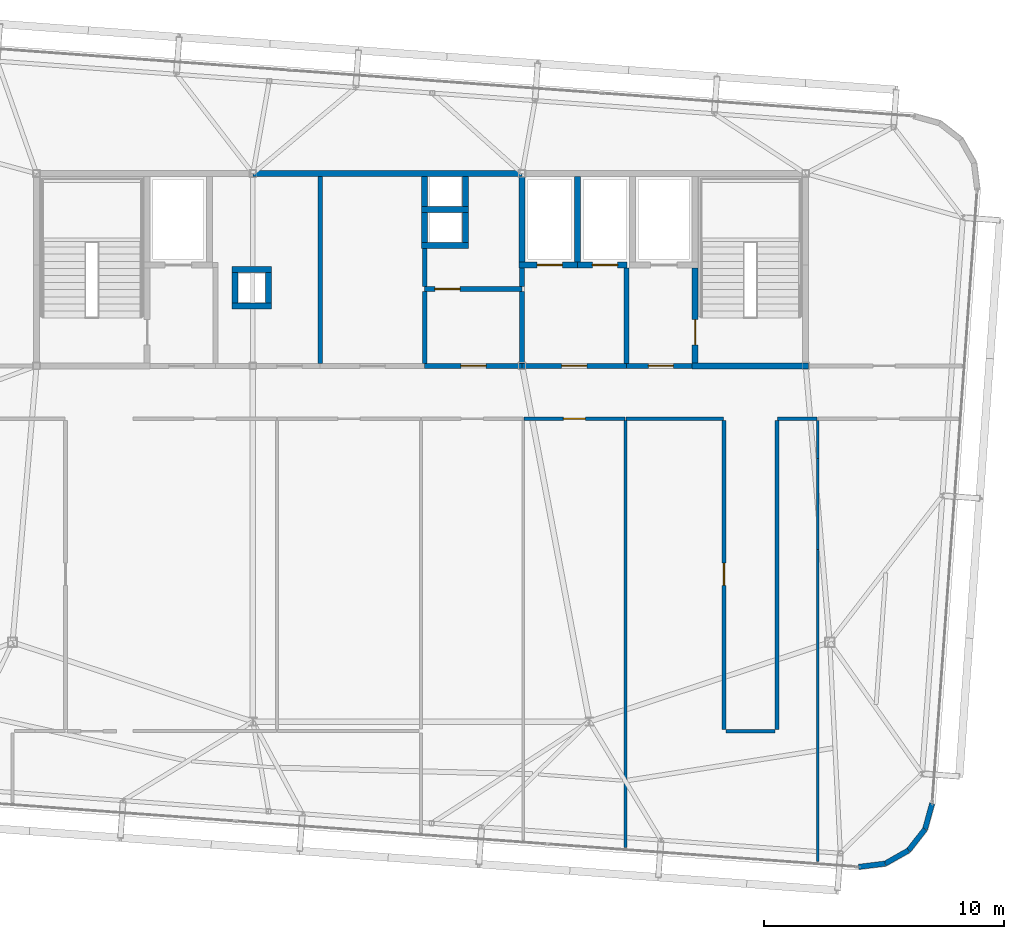
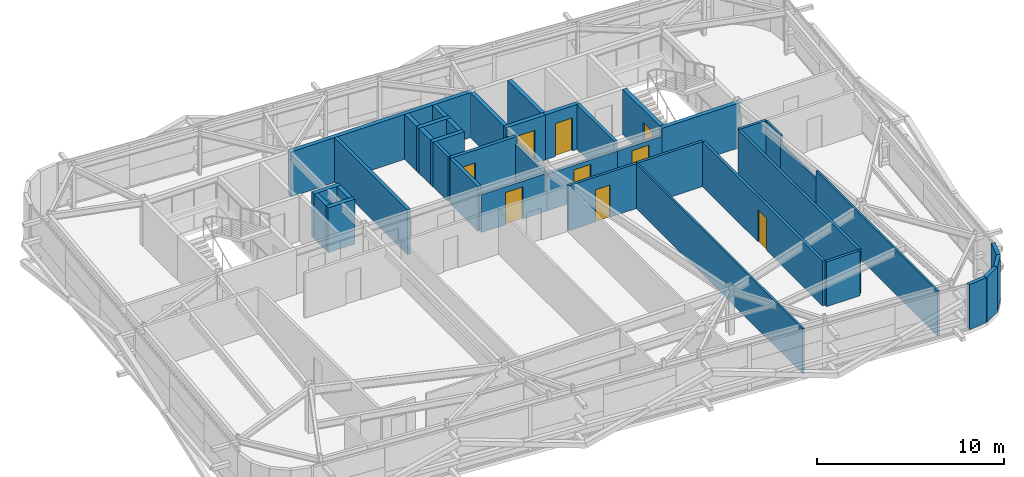
# One storey, part 32 of 34: 41 walls, 9 doors, 9 openings.
"""IFC4 building model written with IfcOpenShell, lengths in metres."""

from ifc_helpers import new_model, si_unit, direction, frame, frame_2d, origin, place, context, subcontext, project, spatial, rectangle, extrude, source, transform, mapped, material, layer, layer_set, type_object, element, fill, save


model = new_model("IFC4")

# Units and contexts
model_context = context("Model", 3, precision=1e-05, world=origin(), true_north=direction((0.0, 1.0)))
body_context = subcontext(model_context, "Body", "Model", "MODEL_VIEW")
ifc_project = project(units=[si_unit("LENGTHUNIT", "METRE"), si_unit("AREAUNIT", "SQUARE_METRE"), si_unit("VOLUMEUNIT", "CUBIC_METRE"), si_unit("PLANEANGLEUNIT", "RADIAN"), si_unit("MASSUNIT", "GRAM", prefix="KILO")], contexts=[model_context])

# Site, building, storey
site_placement = place(None, origin())
site = spatial("IfcSite", under=ifc_project, at=site_placement, CompositionType="ELEMENT")
building_placement = place(site_placement, origin())
building = spatial("IfcBuilding", under=site, at=building_placement, Name="Taldren Reach Tower", CompositionType="ELEMENT")
storey_placement = place(building_placement, frame((0.0, 0.0, 242.89990234375)))
storey = spatial("IfcBuildingStorey", under=building, at=storey_placement, Name="L74", CompositionType="ELEMENT", Elevation=242.89990234375)

# Walls
ifc_material_1 = material(Name="Pale Champagne Anodised Aluminium Cladding", Category="aluminium")
ifc_layer_1 = layer(ifc_material_1, 0.04, Name="Pale Champagne Anodised Aluminium Cladding", Category="aluminium")
ifc_material_2 = material(Name="Mineral Wool Acoustic Insulation", Category="insulation")
ifc_layer_2 = layer(ifc_material_2, 0.06, Name="Mineral Wool Acoustic Insulation", Category="insulation")
ifc_material_3 = material(Name="Steel Gr 350 (C350L0)", Category="steel")
ifc_layer_3 = layer(ifc_material_3, 0.12, Name="Steel Gr 350 (C350L0)", Category="steel")
ifc_layer_set_1 = layer_set([ifc_layer_1, ifc_layer_2, ifc_layer_3], Name="Pale Champagne Aluminium Cladding and Steel Gr 350 Stud Framing")
wall_type_1 = type_object("IfcWallType", Name="EW-CRN-220", PredefinedType="SOLIDWALL", material=ifc_layer_set_1)
shared_shape_1 = source(origin(), body_context, "Body", "SweptSolid", [
    extrude(rectangle(XDim=1.115966796875, YDim=0.219970703125, at=frame_2d((0.55810546875, 0.0))), origin(), (0.0, 0.0, 1.0), 2.93017578125),
])
for number, where, z_axis, x_axis, name in (
    (1, (53.20068359375, 3.15380859375, 0.0), (0.0, 0.0, 1.0), (0.992438604032, 0.122742076028, 0.0), "Rounded-corner pale-metal facade wall L74-SE1"),
    (2, (55.279052734375, 3.84130859375, 0.0), (0.0, 0.0, 1.0), (0.615015475096, 0.788515038152, 0.0), "Rounded-corner pale-metal facade wall L74-SE3"),
    (3, (55.96533203125, 4.72119140625, 0.0), (0.0, 0.0, 1.0), (0.26624444942, 0.963905541613, 0.0), "Rounded-corner pale-metal facade wall L74-SE4"),
):
    element("IfcWall", number, at=place(storey_placement, frame(where, z_axis=z_axis, x_axis=x_axis)), inside=storey, type_object=wall_type_1, Name=name, PredefinedType="SOLIDWALL", context=body_context, shape_type="MappedRepresentation", body=[
        mapped(shared_shape_1, transform((0.0, 0.0, 0.0), scale=1.0)),
    ])
shared_shape_2 = source(origin(), body_context, "Body", "SweptSolid", [
    extrude(rectangle(XDim=1.1162109375, YDim=0.219970703125, at=frame_2d((0.55810546875, 0.0))), origin(), (0.0, 0.0, 1.0), 2.93017578125),
])
wall_1_placement = place(storey_placement, frame((54.30810546875, 3.290771484375, 0.0), z_axis=(0.0, 0.0, 1.0), x_axis=(0.869893934693, 0.49323882895, 0.0)))
element("IfcWall", 4, at=wall_1_placement, inside=storey, type_object=wall_type_1, Name="Rounded-corner pale-metal facade wall L74-SE2", PredefinedType="SOLIDWALL", context=body_context, shape_type="MappedRepresentation", body=[
    mapped(shared_shape_2, transform((0.0, 0.0, 0.0), scale=1.0)),
])
ifc_material_4 = material(Name="Concrete S50 (50 MPa)", Category="concrete")
ifc_layer_4 = layer(ifc_material_4, 0.199951171875)
ifc_layer_set_2 = layer_set([ifc_layer_4], Name="Concrete S50 (50 MPa)")
wall_type_2 = type_object("IfcWallType", Name="IW-CORE-200", PredefinedType="SOLIDWALL", material=ifc_layer_set_2)
shared_shape_3 = source(origin(), body_context, "Body", "SweptSolid", [
    extrude(rectangle(XDim=3.0, YDim=0.199951171875, at=frame_2d((1.5, 0.0))), origin(), (0.0, 0.0, 1.0), 2.47021484375),
])
wall_2_placement = place(storey_placement, frame((39.199951171875, 24.10009765625, 0.0), z_axis=(0.0, 0.0, 1.0), x_axis=(0.0, 1.0, 0.0)))
element("IfcWall", 5, at=wall_2_placement, inside=storey, type_object=wall_type_2, Name="Rear Core Shear Wall W-INT-L74-029", PredefinedType="SOLIDWALL", context=body_context, shape_type="MappedRepresentation", body=[
    mapped(shared_shape_3, transform((0.0, 0.0, 0.0), scale=1.0)),
])
ifc_material_5 = material(Name="Fire-Rated Acoustic Plasterboard Stud Wall", Category="gypsum")
ifc_layer_5 = layer(ifc_material_5, 0.159912109375)
ifc_layer_set_3 = layer_set([ifc_layer_5], Name="Fire-Rated Acoustic Plasterboard Stud Wall")
wall_type_3 = type_object("IfcWallType", Name="IW-FIRE-160", PredefinedType="PARTITIONING", material=ifc_layer_set_3)
shared_shape_4 = source(origin(), body_context, "Body", "SweptSolid", [
    extrude(rectangle(XDim=2.0400390625, YDim=0.159912109375, at=frame_2d((1.02001953125, 0.0))), origin(), (0.0, 0.0, 1.0), 2.93017578125),
])
wall_3_placement = place(storey_placement, frame((49.719970703125, 8.800048828125, 0.0), z_axis=(0.0, 0.0, 1.0), x_axis=(-1.0, 0.0, 0.0)))
element("IfcWall", 6, at=wall_3_placement, inside=storey, type_object=wall_type_3, Name="Interior Partition Wall W-INT-L74-051", PredefinedType="PARTITIONING", context=body_context, shape_type="MappedRepresentation", body=[
    mapped(shared_shape_4, transform((0.0, 0.0, 0.0), scale=1.0)),
])

# Wall, opening, door
shared_shape_5 = source(origin(), body_context, "Body", "SweptSolid", [
    extrude(rectangle(XDim=4.35009765625, YDim=0.199951171875, at=frame_2d((2.175048828125, 0.0))), origin(), (0.0, 0.0, 1.0), 2.397216796875),
])
wall_4_placement = place(storey_placement, frame((43.550048828125, 24.0, 0.0), z_axis=(0.0, 0.0, 1.0), x_axis=(-1.0, 0.0, 0.0)))
wall_4 = element("IfcWall", 7, at=wall_4_placement, inside=storey, type_object=wall_type_2, Name="Rear Core Shear Wall W-INT-L74-031", PredefinedType="SOLIDWALL", context=body_context, shape_type="MappedRepresentation", body=[
    mapped(shared_shape_5, transform((0.0, 0.0, 0.0), scale=1.0)),
])
shared_shape_6 = source(origin(), body_context, "Body", "SweptSolid", [
    extrude(rectangle(XDim=1.050048828125, YDim=2.10009765625, at=frame_2d((0.52490234375, 1.050048828125))), frame((0.0, 0.10986328125, 0.0), z_axis=(0.0, -1.0, 0.0), x_axis=(1.0, 0.0, 0.0)), (0.0, 0.0, 1.0), 0.219970703125),
])
opening_1_placement = place(wall_4_placement, frame((1.64990234375, 0.0, 0.0)))
opening_1 = element("IfcOpeningElement", 8, at=opening_1_placement, cuts=wall_4, Name="Opening DF-105", PredefinedType="OPENING", context=body_context, shape_type="MappedRepresentation", body=[
    mapped(shared_shape_6, transform((0.0, 0.0, 0.0), scale=1.0)),
])
ifc_material_6 = material(Name="Fire-Rated Care and Stair Exit Door")
door_type_1 = type_object("IfcDoorType", Name="ID-FIRE-105", OperationType="NOTDEFINED", PredefinedType="DOOR", material=ifc_material_6)
shared_shape_7 = source(origin(), body_context, "Body", "SweptSolid", [
    extrude(rectangle(XDim=1.050048828125, YDim=2.10009765625, at=frame_2d((0.52490234375, 1.050048828125))), frame((0.0, 0.02490234375, 0.0), z_axis=(0.0, -1.0, 0.0), x_axis=(1.0, 0.0, 0.0)), (0.0, 0.0, 1.0), 0.050048828125),
])
door_1_placement = place(opening_1_placement, frame((1.050048828125, 0.0, 0.0), z_axis=(0.0, 0.0, 1.0), x_axis=(-1.0, 0.0, 0.0)))
door_1 = element("IfcDoor", 9, at=door_1_placement, inside=storey, type_object=door_type_1, Name="Interior Door DR-L74-005", OperationType="SINGLE_SWING_LEFT", OverallHeight=2.10009765625, OverallWidth=1.050048828125, PredefinedType="DOOR", context=body_context, shape_type="MappedRepresentation", body=[
    mapped(shared_shape_7, transform((0.0, 0.0, 0.0), scale=1.0)),
])
fill(opening_1, door_1)

# Walls
ifc_material_7 = material(Name="Concrete S65 (65 MPa)", Category="concrete")
ifc_layer_6 = layer(ifc_material_7, 0.25)
ifc_layer_set_4 = layer_set([ifc_layer_6], Name="Concrete S65 (65 MPa)")
wall_type_4 = type_object("IfcWallType", Name="IW-CORE-250", PredefinedType="SHEAR", material=ifc_layer_set_4)
shared_shape_8 = source(origin(), body_context, "Body", "SweptSolid", [
    extrude(rectangle(XDim=11.199951171875, YDim=0.25, at=frame_2d((5.60009765625, 0.0))), origin(), (0.0, 0.0, 1.0), 2.93017578125),
])
wall_5_placement = place(storey_placement, frame((28.0, 32.0, 0.0), z_axis=(0.0, 0.0, 1.0), x_axis=(1.0, 0.0, 0.0)))
element("IfcWall", 10, at=wall_5_placement, inside=storey, type_object=wall_type_4, Name="Rear Core Shear Wall W-CORE-L74-NORTH2", PredefinedType="SHEAR", context=body_context, shape_type="MappedRepresentation", body=[
    mapped(shared_shape_8, transform((0.0, 0.0, 0.0), scale=1.0)),
])
shared_shape_9 = source(origin(), body_context, "Body", "SweptSolid", [
    extrude(rectangle(XDim=3.550048828125, YDim=0.25, at=frame_2d((1.77490234375, 0.0))), origin(), (0.0, 0.0, 1.0), 2.93017578125),
])
for number, where, z_axis, x_axis, name in (
    (11, (41.5, 28.324951171875, 0.0), (0.0, 0.0, 1.0), (0.0, 1.0, 0.0), "Rear Core Shear Wall W-INT-L74-025"),
    (12, (39.199951171875, 31.875, 0.0), (0.0, 0.0, 1.0), (0.0, -1.0, 0.0), "Rear Core Shear Wall W-INT-L74-027"),
):
    element("IfcWall", number, at=place(storey_placement, frame(where, z_axis=z_axis, x_axis=x_axis)), inside=storey, type_object=wall_type_4, Name=name, PredefinedType="SHEAR", context=body_context, shape_type="MappedRepresentation", body=[
        mapped(shared_shape_9, transform((0.0, 0.0, 0.0), scale=1.0)),
    ])

# Wall, opening, door
shared_shape_10 = source(origin(), body_context, "Body", "SweptSolid", [
    extrude(rectangle(XDim=3.949951171875, YDim=0.25, at=frame_2d((1.97509765625, 0.0))), origin(), (0.0, 0.0, 1.0), 2.93017578125),
])
wall_6_placement = place(storey_placement, frame((46.39990234375, 28.074951171875, 0.0), z_axis=(0.0, 0.0, 1.0), x_axis=(0.0, -1.0, 0.0)))
wall_6 = element("IfcWall", 13, at=wall_6_placement, inside=storey, type_object=wall_type_4, Name="Rear Core Shear Wall W-INT-L74-009", PredefinedType="SHEAR", context=body_context, shape_type="MappedRepresentation", body=[
    mapped(shared_shape_10, transform((0.0, 0.0, 0.0), scale=1.0)),
])
shared_shape_11 = source(origin(), body_context, "Body", "SweptSolid", [
    extrude(rectangle(XDim=1.050048828125, YDim=2.10009765625, at=frame_2d((0.52490234375, 1.050048828125))), frame((0.0, 0.135009765625, 0.0), z_axis=(0.0, -1.0, 0.0), x_axis=(1.0, 0.0, 0.0)), (0.0, 0.0, 1.0), 0.27001953125),
])
opening_2_placement = place(wall_6_placement, frame((2.14990234375, 0.0, 0.0)))
opening_2 = element("IfcOpeningElement", 14, at=opening_2_placement, cuts=wall_6, Name="Opening DF-105", PredefinedType="OPENING", context=body_context, shape_type="MappedRepresentation", body=[
    mapped(shared_shape_11, transform((0.0, 0.0, 0.0), scale=1.0)),
])
door_2_placement = place(opening_2_placement, origin())
door_2 = element("IfcDoor", 15, at=door_2_placement, inside=storey, type_object=door_type_1, Name="Fire Exit Stair Door DR-L74-003", OperationType="SINGLE_SWING_RIGHT", OverallHeight=2.10009765625, OverallWidth=1.050048828125, PredefinedType="DOOR", context=body_context, shape_type="MappedRepresentation", body=[
    mapped(shared_shape_7, transform((0.0, 0.0, 0.0), scale=1.0)),
])
fill(opening_2, door_2)

# Walls
shared_shape_12 = source(origin(), body_context, "Body", "SweptSolid", [
    extrude(rectangle(XDim=4.85009765625, YDim=0.25, at=frame_2d((2.425048828125, 0.0))), origin(), (0.0, 0.0, 1.0), 2.93017578125),
])
wall_7_placement = place(storey_placement, frame((46.27490234375, 24.0, 0.0), z_axis=(0.0, 0.0, 1.0), x_axis=(1.0, 0.0, 0.0)))
element("IfcWall", 16, at=wall_7_placement, inside=storey, type_object=wall_type_4, Name="Rear Core Shear Wall W-INT-L74-010", PredefinedType="SHEAR", context=body_context, shape_type="MappedRepresentation", body=[
    mapped(shared_shape_12, transform((0.0, 0.0, 0.0), scale=1.0)),
])
shared_shape_13 = source(origin(), body_context, "Body", "SweptSolid", [
    extrude(rectangle(XDim=3.974853515625, YDim=0.199951171875, at=frame_2d((1.9873046875, 0.0))), origin(), (0.0, 0.0, 1.0), 2.93017578125),
])
wall_8_placement = place(storey_placement, frame((43.550048828125, 28.074951171875, 0.0), z_axis=(0.0, 0.0, 1.0), x_axis=(0.0, -1.0, 0.0)))
element("IfcWall", 17, at=wall_8_placement, inside=storey, type_object=wall_type_2, Name="Rear Core Shear Wall W-INT-L74-013", PredefinedType="SOLIDWALL", context=body_context, shape_type="MappedRepresentation", body=[
    mapped(shared_shape_13, transform((0.0, 0.0, 0.0), scale=1.0)),
])

# Wall, opening, door
shared_shape_14 = source(origin(), body_context, "Body", "SweptSolid", [
    extrude(rectangle(XDim=2.724853515625, YDim=0.199951171875, at=frame_2d((1.3623046875, 0.0))), origin(), (0.0, 0.0, 1.0), 2.397216796875),
])
wall_9_placement = place(storey_placement, frame((43.550048828125, 24.0, 0.0), z_axis=(0.0, 0.0, 1.0), x_axis=(1.0, 0.0, 0.0)))
wall_9 = element("IfcWall", 18, at=wall_9_placement, inside=storey, type_object=wall_type_2, Name="Rear Core Shear Wall W-INT-L74-014", PredefinedType="SOLIDWALL", context=body_context, shape_type="MappedRepresentation", body=[
    mapped(shared_shape_14, transform((0.0, 0.0, 0.0), scale=1.0)),
])
opening_3_placement = place(wall_9_placement, frame((0.89990234375, 0.0, 0.0)))
opening_3 = element("IfcOpeningElement", 19, at=opening_3_placement, cuts=wall_9, Name="Opening DF-105", PredefinedType="OPENING", context=body_context, shape_type="MappedRepresentation", body=[
    mapped(shared_shape_6, transform((0.0, 0.0, 0.0), scale=1.0)),
])
door_3_placement = place(opening_3_placement, origin())
door_3 = element("IfcDoor", 20, at=door_3_placement, inside=storey, type_object=door_type_1, Name="Interior Door DR-L74-004", OperationType="SINGLE_SWING_LEFT", OverallHeight=2.10009765625, OverallWidth=1.050048828125, PredefinedType="DOOR", context=body_context, shape_type="MappedRepresentation", body=[
    mapped(shared_shape_7, transform((0.0, 0.0, 0.0), scale=1.0)),
])
fill(opening_3, door_3)

# Walls
shared_shape_15 = source(origin(), body_context, "Body", "SweptSolid", [
    extrude(rectangle(XDim=1.9501953125, YDim=0.25, at=frame_2d((0.97509765625, 0.0))), origin(), (0.0, 0.0, 1.0), 2.93017578125),
])
for number, where, z_axis, x_axis, name in (
    (21, (35.02490234375, 30.5, 0.0), (0.0, 0.0, 1.0), (1.0, 0.0, 0.0), "Rear Core Shear Wall W-INT-L74-015"),
    (22, (35.02490234375, 29.0, 0.0), (0.0, 0.0, 1.0), (1.0, 0.0, 0.0), "Rear Core Shear Wall W-INT-L74-019"),
):
    element("IfcWall", number, at=place(storey_placement, frame(where, z_axis=z_axis, x_axis=x_axis)), inside=storey, type_object=wall_type_4, Name=name, PredefinedType="SHEAR", context=body_context, shape_type="MappedRepresentation", body=[
        mapped(shared_shape_15, transform((0.0, 0.0, 0.0), scale=1.0)),
    ])
shared_shape_16 = source(origin(), body_context, "Body", "SweptSolid", [
    extrude(rectangle(XDim=1.25, YDim=0.25, at=frame_2d((0.625, 0.0))), origin(), (0.0, 0.0, 1.0), 2.93017578125),
])
for number, where, z_axis, x_axis, name in (
    (23, (35.14990234375, 31.875, 0.0), (0.0, 0.0, 1.0), (0.0, -1.0, 0.0), "Rear Core Shear Wall W-INT-L74-016"),
    (24, (36.85009765625, 30.625, 0.0), (0.0, 0.0, 1.0), (0.0, 1.0, 0.0), "Rear Core Shear Wall W-INT-L74-017"),
    (25, (35.14990234375, 30.375, 0.0), (0.0, 0.0, 1.0), (0.0, -1.0, 0.0), "Rear Core Shear Wall W-INT-L74-018"),
    (26, (36.85009765625, 29.125, 0.0), (0.0, 0.0, 1.0), (0.0, 1.0, 0.0), "Rear Core Shear Wall W-INT-L74-020"),
    (27, (28.64990234375, 26.625, 0.0), (0.0, 0.0, 1.0), (0.0, 1.0, 0.0), "Rear Core Shear Wall W-INT-L74-021"),
    (28, (27.25, 27.875, 0.0), (0.0, 0.0, 1.0), (0.0, -1.0, 0.0), "Rear Core Shear Wall W-INT-L74-022"),
):
    element("IfcWall", number, at=place(storey_placement, frame(where, z_axis=z_axis, x_axis=x_axis)), inside=storey, type_object=wall_type_4, Name=name, PredefinedType="SHEAR", context=body_context, shape_type="MappedRepresentation", body=[
        mapped(shared_shape_16, transform((0.0, 0.0, 0.0), scale=1.0)),
    ])
shared_shape_17 = source(origin(), body_context, "Body", "SweptSolid", [
    extrude(rectangle(XDim=1.64990234375, YDim=0.25, at=frame_2d((0.824951171875, 0.0))), origin(), (0.0, 0.0, 1.0), 2.93017578125),
])
for number, where, z_axis, x_axis, name in (
    (29, (28.77490234375, 28.0, 0.0), (0.0, 0.0, 1.0), (-1.0, 0.0, 0.0), "Rear Core Shear Wall W-INT-L74-023"),
    (30, (27.125, 26.5, 0.0), (0.0, 0.0, 1.0), (1.0, 0.0, 0.0), "Rear Core Shear Wall W-INT-L74-024"),
):
    element("IfcWall", number, at=place(storey_placement, frame(where, z_axis=z_axis, x_axis=x_axis)), inside=storey, type_object=wall_type_4, Name=name, PredefinedType="SHEAR", context=body_context, shape_type="MappedRepresentation", body=[
        mapped(shared_shape_17, transform((0.0, 0.0, 0.0), scale=1.0)),
    ])

# Wall, opening, door
shared_shape_18 = source(origin(), body_context, "Body", "SweptSolid", [
    extrude(rectangle(XDim=2.425048828125, YDim=0.25, at=frame_2d((1.21240234375, 0.0))), origin(), (0.0, 0.0, 1.0), 2.93017578125),
])
wall_10_placement = place(storey_placement, frame((39.074951171875, 28.199951171875, 0.0), z_axis=(0.0, 0.0, 1.0), x_axis=(1.0, 0.0, 0.0)))
wall_10 = element("IfcWall", 31, at=wall_10_placement, inside=storey, type_object=wall_type_4, Name="Rear Core Shear Wall W-INT-L74-026", PredefinedType="SHEAR", context=body_context, shape_type="MappedRepresentation", body=[
    mapped(shared_shape_18, transform((0.0, 0.0, 0.0), scale=1.0)),
])
shared_shape_19 = source(origin(), body_context, "Body", "SweptSolid", [
    extrude(rectangle(XDim=1.050048828125, YDim=2.14990234375, at=frame_2d((0.52490234375, 1.074951171875))), frame((0.0, 0.135009765625, 0.0), z_axis=(0.0, -1.0, 0.0), x_axis=(1.0, 0.0, 0.0)), (0.0, 0.0, 1.0), 0.27001953125),
])
opening_4_placement = place(wall_10_placement, frame((0.75, 0.0, 0.0)))
opening_4 = element("IfcOpeningElement", 32, at=opening_4_placement, cuts=wall_10, Name="Opening LD-PH1", PredefinedType="OPENING", context=body_context, shape_type="MappedRepresentation", body=[
    mapped(shared_shape_19, transform((0.0, 0.0, 0.0), scale=1.0)),
])
ifc_material_8 = material(Name="Stainless Steel Gr 316 Passenger Lift Landing Door", Category="steel")
door_type_2 = type_object("IfcDoorType", Name="LD-PAS-105", OperationType="SLIDING_TO_LEFT", PredefinedType="DOOR", material=ifc_material_8)
shared_shape_20 = source(origin(), body_context, "Body", "SweptSolid", [
    extrude(rectangle(XDim=1.050048828125, YDim=2.14990234375, at=frame_2d((0.52490234375, 1.074951171875))), frame((0.0, 0.02490234375, 0.0), z_axis=(0.0, -1.0, 0.0), x_axis=(1.0, 0.0, 0.0)), (0.0, 0.0, 1.0), 0.050048828125),
])
door_4_placement = place(opening_4_placement, origin())
door_4 = element("IfcDoor", 33, at=door_4_placement, inside=storey, type_object=door_type_2, Name="Lift Landing Door LD-PH1-L74", OperationType="SLIDING_TO_LEFT", OverallHeight=2.14990234375, OverallWidth=1.050048828125, PredefinedType="DOOR", context=body_context, shape_type="MappedRepresentation", body=[
    mapped(shared_shape_20, transform((0.0, 0.0, 0.0), scale=1.0)),
])
fill(opening_4, door_4)

shared_shape_21 = source(origin(), body_context, "Body", "SweptSolid", [
    extrude(rectangle(XDim=2.070068359375, YDim=0.25, at=frame_2d((1.03515625, 0.0))), origin(), (0.0, 0.0, 1.0), 2.93017578125),
])
wall_11_placement = place(storey_placement, frame((41.5, 28.199951171875, 0.0), z_axis=(0.0, 0.0, 1.0), x_axis=(1.0, 0.0, 0.0)))
wall_11 = element("IfcWall", 34, at=wall_11_placement, inside=storey, type_object=wall_type_4, Name="Rear Core Shear Wall W-INT-L74-028", PredefinedType="SHEAR", context=body_context, shape_type="MappedRepresentation", body=[
    mapped(shared_shape_21, transform((0.0, 0.0, 0.0), scale=1.0)),
])
opening_5_placement = place(wall_11_placement, frame((0.625, 0.0, 0.0)))
opening_5 = element("IfcOpeningElement", 35, at=opening_5_placement, cuts=wall_11, Name="Opening LD-PH2", PredefinedType="OPENING", context=body_context, shape_type="MappedRepresentation", body=[
    mapped(shared_shape_19, transform((0.0, 0.0, 0.0), scale=1.0)),
])
door_5_placement = place(opening_5_placement, origin())
door_5 = element("IfcDoor", 36, at=door_5_placement, inside=storey, type_object=door_type_2, Name="Lift Landing Door LD-PH2-L74", OperationType="SLIDING_TO_LEFT", OverallHeight=2.14990234375, OverallWidth=1.050048828125, PredefinedType="DOOR", context=body_context, shape_type="MappedRepresentation", body=[
    mapped(shared_shape_20, transform((0.0, 0.0, 0.0), scale=1.0)),
])
fill(opening_5, door_5)

shared_shape_22 = source(origin(), body_context, "Body", "SweptSolid", [
    extrude(rectangle(XDim=4.050048828125, YDim=0.199951171875, at=frame_2d((2.02490234375, 0.0))), origin(), (0.0, 0.0, 1.0), 2.47021484375),
])
wall_12_placement = place(storey_placement, frame((39.199951171875, 24.0, 0.0), z_axis=(0.0, 0.0, 1.0), x_axis=(-1.0, 0.0, 0.0)))
wall_12 = element("IfcWall", 37, at=wall_12_placement, inside=storey, type_object=wall_type_2, Name="Rear Core Shear Wall W-INT-L74-038", PredefinedType="SOLIDWALL", context=body_context, shape_type="MappedRepresentation", body=[
    mapped(shared_shape_22, transform((0.0, 0.0, 0.0), scale=1.0)),
])
opening_6_placement = place(wall_12_placement, frame((1.5, 0.0, 0.0)))
opening_6 = element("IfcOpeningElement", 38, at=opening_6_placement, cuts=wall_12, Name="Opening DF-105", PredefinedType="OPENING", context=body_context, shape_type="MappedRepresentation", body=[
    mapped(shared_shape_6, transform((0.0, 0.0, 0.0), scale=1.0)),
])
door_6_placement = place(opening_6_placement, frame((1.050048828125, 0.0, 0.0), z_axis=(0.0, 0.0, 1.0), x_axis=(-1.0, 0.0, 0.0)))
door_6 = element("IfcDoor", 39, at=door_6_placement, inside=storey, type_object=door_type_1, Name="Interior Door DR-L74-009", OperationType="SINGLE_SWING_LEFT", OverallHeight=2.10009765625, OverallWidth=1.050048828125, PredefinedType="DOOR", context=body_context, shape_type="MappedRepresentation", body=[
    mapped(shared_shape_7, transform((0.0, 0.0, 0.0), scale=1.0)),
])
fill(opening_6, door_6)

shared_shape_23 = source(origin(), body_context, "Body", "SweptSolid", [
    extrude(rectangle(XDim=12.840087890625, YDim=0.159912109375, at=frame_2d((6.419921875, 0.0))), origin(), (0.0, 0.0, 1.0), 2.93017578125),
])
wall_13_placement = place(storey_placement, frame((47.60009765625, 8.8798828125, 0.0), z_axis=(0.0, 0.0, 1.0), x_axis=(0.0, 1.0, 0.0)))
wall_13 = element("IfcWall", 40, at=wall_13_placement, inside=storey, type_object=wall_type_3, Name="Interior Partition Wall W-INT-L74-048", PredefinedType="PARTITIONING", context=body_context, shape_type="MappedRepresentation", body=[
    mapped(shared_shape_23, transform((0.0, 0.0, 0.0), scale=1.0)),
])
shared_shape_24 = source(origin(), body_context, "Body", "SweptSolid", [
    extrude(rectangle(XDim=0.919921875, YDim=2.10009765625, at=frame_2d((0.4599609375, 1.050048828125))), frame((0.0, 0.08984375, 0.0), z_axis=(0.0, -1.0, 0.0), x_axis=(1.0, 0.0, 0.0)), (0.0, 0.0, 1.0), 0.179931640625),
])
opening_7_placement = place(wall_13_placement, frame((5.989990234375, 0.0, 0.0)))
opening_7 = element("IfcOpeningElement", 41, at=opening_7_placement, cuts=wall_13, Name="Opening DI-092", PredefinedType="OPENING", context=body_context, shape_type="MappedRepresentation", body=[
    mapped(shared_shape_24, transform((0.0, 0.0, 0.0), scale=1.0)),
])
ifc_material_9 = material(Name="Solid-Core Timber Suite Door", Category="wood")
door_type_3 = type_object("IfcDoorType", Name="ID-INT-092", OperationType="NOTDEFINED", PredefinedType="DOOR", material=ifc_material_9)
shared_shape_25 = source(origin(), body_context, "Body", "SweptSolid", [
    extrude(rectangle(XDim=0.919921875, YDim=2.10009765625, at=frame_2d((0.4599609375, 1.050048828125))), frame((0.0, 0.02490234375, 0.0), z_axis=(0.0, -1.0, 0.0), x_axis=(1.0, 0.0, 0.0)), (0.0, 0.0, 1.0), 0.050048828125),
])
door_7_placement = place(opening_7_placement, origin())
door_7 = element("IfcDoor", 42, at=door_7_placement, inside=storey, type_object=door_type_3, Name="Interior Door DR-L74-018", OperationType="SINGLE_SWING_LEFT", OverallHeight=2.10009765625, OverallWidth=0.919921875, PredefinedType="DOOR", context=body_context, shape_type="MappedRepresentation", body=[
    mapped(shared_shape_25, transform((0.0, 0.0, 0.0), scale=1.0)),
])
fill(opening_7, door_7)

# Walls
wall_14_placement = place(storey_placement, frame((49.800048828125, 21.719970703125, 0.0), z_axis=(0.0, 0.0, 1.0), x_axis=(0.0, -1.0, 0.0)))
element("IfcWall", 43, at=wall_14_placement, inside=storey, type_object=wall_type_3, Name="Interior Partition Wall W-INT-L74-049", PredefinedType="PARTITIONING", context=body_context, shape_type="MappedRepresentation", body=[
    mapped(shared_shape_23, transform((0.0, 0.0, 0.0), scale=1.0)),
])
shared_shape_26 = source(origin(), body_context, "Body", "SweptSolid", [
    extrude(rectangle(XDim=0.77490234375, YDim=0.199951171875, at=frame_2d((0.387451171875, 0.0))), origin(), (0.0, 0.0, 1.0), 2.47021484375),
])
wall_15_placement = place(storey_placement, frame((39.199951171875, 27.300048828125, 0.0), z_axis=(0.0, 0.0, 1.0), x_axis=(0.0, 1.0, 0.0)))
element("IfcWall", 44, at=wall_15_placement, inside=storey, type_object=wall_type_2, Name="Rear Core Shear Wall W-INT-L74-030", PredefinedType="SOLIDWALL", context=body_context, shape_type="MappedRepresentation", body=[
    mapped(shared_shape_26, transform((0.0, 0.0, 0.0), scale=1.0)),
])
shared_shape_27 = source(origin(), body_context, "Body", "SweptSolid", [
    extrude(rectangle(XDim=7.77490234375, YDim=0.199951171875, at=frame_2d((3.887451171875, 0.0))), origin(), (0.0, 0.0, 1.0), 2.93017578125),
])
wall_16_placement = place(storey_placement, frame((30.800048828125, 31.875, 0.0), z_axis=(0.0, 0.0, 1.0), x_axis=(0.0, -1.0, 0.0)))
element("IfcWall", 45, at=wall_16_placement, inside=storey, type_object=wall_type_2, Name="Rear Core Shear Wall W-INT-L74-032", PredefinedType="SOLIDWALL", context=body_context, shape_type="MappedRepresentation", body=[
    mapped(shared_shape_27, transform((0.0, 0.0, 0.0), scale=1.0)),
])
shared_shape_28 = source(origin(), body_context, "Body", "SweptSolid", [
    extrude(rectangle(XDim=3.0, YDim=0.199951171875, at=frame_2d((1.5, 0.0))), origin(), (0.0, 0.0, 1.0), 2.93017578125),
])
wall_17_placement = place(storey_placement, frame((35.14990234375, 27.10009765625, 0.0), z_axis=(0.0, 0.0, 1.0), x_axis=(0.0, -1.0, 0.0)))
element("IfcWall", 46, at=wall_17_placement, inside=storey, type_object=wall_type_2, Name="Rear Core Shear Wall W-INT-L74-034", PredefinedType="SOLIDWALL", context=body_context, shape_type="MappedRepresentation", body=[
    mapped(shared_shape_28, transform((0.0, 0.0, 0.0), scale=1.0)),
])
shared_shape_29 = source(origin(), body_context, "Body", "SweptSolid", [
    extrude(rectangle(XDim=1.574951171875, YDim=0.199951171875, at=frame_2d((0.78759765625, 0.0))), origin(), (0.0, 0.0, 1.0), 2.93017578125),
])
wall_18_placement = place(storey_placement, frame((35.14990234375, 28.875, 0.0), z_axis=(0.0, 0.0, 1.0), x_axis=(0.0, -1.0, 0.0)))
element("IfcWall", 47, at=wall_18_placement, inside=storey, type_object=wall_type_2, Name="Rear Core Shear Wall W-INT-L74-035", PredefinedType="SOLIDWALL", context=body_context, shape_type="MappedRepresentation", body=[
    mapped(shared_shape_29, transform((0.0, 0.0, 0.0), scale=1.0)),
])

# Wall, opening, door
shared_shape_30 = source(origin(), body_context, "Body", "SweptSolid", [
    extrude(rectangle(XDim=4.050048828125, YDim=0.199951171875, at=frame_2d((2.02490234375, 0.0))), origin(), (0.0, 0.0, 1.0), 2.93017578125),
])
wall_19_placement = place(storey_placement, frame((35.14990234375, 27.199951171875, 0.0), z_axis=(0.0, 0.0, 1.0), x_axis=(1.0, 0.0, 0.0)))
wall_19 = element("IfcWall", 48, at=wall_19_placement, inside=storey, type_object=wall_type_2, Name="Rear Core Shear Wall W-INT-L74-037", PredefinedType="SOLIDWALL", context=body_context, shape_type="MappedRepresentation", body=[
    mapped(shared_shape_30, transform((0.0, 0.0, 0.0), scale=1.0)),
])
opening_8_placement = place(wall_19_placement, frame((0.419921875, 0.0, 0.0)))
opening_8 = element("IfcOpeningElement", 49, at=opening_8_placement, cuts=wall_19, Name="Opening DF-105", PredefinedType="OPENING", context=body_context, shape_type="MappedRepresentation", body=[
    mapped(shared_shape_6, transform((0.0, 0.0, 0.0), scale=1.0)),
])
door_8_placement = place(opening_8_placement, origin())
door_8 = element("IfcDoor", 50, at=door_8_placement, inside=storey, type_object=door_type_1, Name="Interior Door DR-L74-008", OperationType="SINGLE_SWING_LEFT", OverallHeight=2.10009765625, OverallWidth=1.050048828125, PredefinedType="DOOR", context=body_context, shape_type="MappedRepresentation", body=[
    mapped(shared_shape_7, transform((0.0, 0.0, 0.0), scale=1.0)),
])
fill(opening_8, door_8)

shared_shape_31 = source(origin(), body_context, "Body", "SweptSolid", [
    extrude(rectangle(XDim=4.20947265625, YDim=0.159912109375, at=frame_2d((2.104736328125, 0.0))), origin(), (0.0, 0.0, 1.0), 2.93017578125),
])
wall_20_placement = place(storey_placement, frame((43.479736328125, 21.800048828125, 0.0), z_axis=(0.0, 0.0, 1.0), x_axis=(-1.0, 0.0, 0.0)))
wall_20 = element("IfcWall", 51, at=wall_20_placement, inside=storey, type_object=wall_type_3, Name="Interior Partition Wall W-INT-L74-047", PredefinedType="PARTITIONING", context=body_context, shape_type="MappedRepresentation", body=[
    mapped(shared_shape_31, transform((0.0, 0.0, 0.0), scale=1.0)),
])
opening_9_placement = place(wall_20_placement, frame((1.644775390625, 0.0, 0.0)))
opening_9 = element("IfcOpeningElement", 52, at=opening_9_placement, cuts=wall_20, Name="Opening DI-092", PredefinedType="OPENING", context=body_context, shape_type="MappedRepresentation", body=[
    mapped(shared_shape_24, transform((0.0, 0.0, 0.0), scale=1.0)),
])
door_9_placement = place(opening_9_placement, origin())
door_9 = element("IfcDoor", 53, at=door_9_placement, inside=storey, type_object=door_type_3, Name="Interior Door DR-L74-017", OperationType="SINGLE_SWING_RIGHT", OverallHeight=2.10009765625, OverallWidth=0.919921875, PredefinedType="DOOR", context=body_context, shape_type="MappedRepresentation", body=[
    mapped(shared_shape_25, transform((0.0, 0.0, 0.0), scale=1.0)),
])
fill(opening_9, door_9)

# Walls
shared_shape_32 = source(origin(), body_context, "Body", "SweptSolid", [
    extrude(rectangle(XDim=4.0595703125, YDim=0.159912109375, at=frame_2d((2.02978515625, 0.0))), origin(), (0.0, 0.0, 1.0), 2.93017578125),
])
wall_21_placement = place(storey_placement, frame((47.579833984375, 21.800048828125, 0.0), z_axis=(0.0, 0.0, 1.0), x_axis=(-1.0, 0.0, 0.0)))
element("IfcWall", 54, at=wall_21_placement, inside=storey, type_object=wall_type_3, Name="Interior Partition Wall W-INT-L74-050", PredefinedType="PARTITIONING", context=body_context, shape_type="MappedRepresentation", body=[
    mapped(shared_shape_32, transform((0.0, 0.0, 0.0), scale=1.0)),
])
shared_shape_33 = source(origin(), body_context, "Body", "SweptSolid", [
    extrude(rectangle(XDim=1.659423828125, YDim=0.159912109375, at=frame_2d((0.82958984375, 0.0))), origin(), (0.0, 0.0, 1.0), 2.93017578125),
])
wall_22_placement = place(storey_placement, frame((51.479736328125, 21.800048828125, 0.0), z_axis=(0.0, 0.0, 1.0), x_axis=(-1.0, 0.0, 0.0)))
element("IfcWall", 55, at=wall_22_placement, inside=storey, type_object=wall_type_3, Name="Interior Partition Wall W-INT-L74-052", PredefinedType="PARTITIONING", context=body_context, shape_type="MappedRepresentation", body=[
    mapped(shared_shape_33, transform((0.0, 0.0, 0.0), scale=1.0)),
])
ifc_material_10 = material(Name="Insulated Residential Stud Partition", Category="gypsum")
ifc_layer_7 = layer(ifc_material_10, 0.1201171875)
ifc_layer_set_5 = layer_set([ifc_layer_7], Name="Insulated Residential Stud Partition")
wall_type_5 = type_object("IfcWallType", Name="IW-PART-120", PredefinedType="PARTITIONING", material=ifc_layer_set_5)
shared_shape_34 = source(origin(), body_context, "Body", "SweptSolid", [
    extrude(rectangle(XDim=17.753662109375, YDim=0.1201171875, at=frame_2d((8.876953125, 0.0))), origin(), (0.0, 0.0, 1.0), 2.93017578125),
])
wall_23_placement = place(storey_placement, frame((43.5, 21.718017578125, 0.0), z_axis=(0.0, 0.0, 1.0), x_axis=(0.0, -1.0, 0.0)))
element("IfcWall", 56, at=wall_23_placement, inside=storey, type_object=wall_type_5, Name="Interior Partition Wall W-INT-L74-062", PredefinedType="PARTITIONING", context=body_context, shape_type="MappedRepresentation", body=[
    mapped(shared_shape_34, transform((0.0, 0.0, 0.0), scale=1.0)),
])
shared_shape_35 = source(origin(), body_context, "Body", "SweptSolid", [
    extrude(rectangle(XDim=1.57373046875, YDim=0.1201171875, at=frame_2d((0.786865234375, 0.0))), origin(), (0.0, 0.0, 1.0), 2.93017578125),
])
wall_24_placement = place(storey_placement, frame((51.5, 21.719970703125, 0.0), z_axis=(0.0, 0.0, 1.0), x_axis=(0.0, -1.0, 0.0)))
element("IfcWall", 57, at=wall_24_placement, inside=storey, type_object=wall_type_5, Name="Interior Partition Wall W-INT-L74-063", PredefinedType="PARTITIONING", context=body_context, shape_type="MappedRepresentation", body=[
    mapped(shared_shape_35, transform((0.0, 0.0, 0.0), scale=1.0)),
])
shared_shape_36 = source(origin(), body_context, "Body", "SweptSolid", [
    extrude(rectangle(XDim=3.79248046875, YDim=0.1201171875, at=frame_2d((1.896240234375, 0.0))), origin(), (0.0, 0.0, 1.0), 2.397216796875),
])
wall_25_placement = place(storey_placement, frame((51.5, 20.146240234375, 0.0), z_axis=(0.0, 0.0, 1.0), x_axis=(0.0, -1.0, 0.0)))
element("IfcWall", 58, at=wall_25_placement, inside=storey, type_object=wall_type_5, Name="Interior Partition Wall W-INT-L74-063 part 2", PredefinedType="PARTITIONING", context=body_context, shape_type="MappedRepresentation", body=[
    mapped(shared_shape_36, transform((0.0, 0.0, 0.0), scale=1.0)),
])
shared_shape_37 = source(origin(), body_context, "Body", "SweptSolid", [
    extrude(rectangle(XDim=12.978759765625, YDim=0.1201171875, at=frame_2d((6.4892578125, 0.0))), origin(), (0.0, 0.0, 1.0), 2.93017578125),
])
wall_26_placement = place(storey_placement, frame((51.5, 16.353759765625, 0.0), z_axis=(0.0, 0.0, 1.0), x_axis=(0.0, -1.0, 0.0)))
element("IfcWall", 59, at=wall_26_placement, inside=storey, type_object=wall_type_5, Name="Interior Partition Wall W-INT-L74-063 part 3", PredefinedType="PARTITIONING", context=body_context, shape_type="MappedRepresentation", body=[
    mapped(shared_shape_37, transform((0.0, 0.0, 0.0), scale=1.0)),
])

save(model, "model.ifc")
